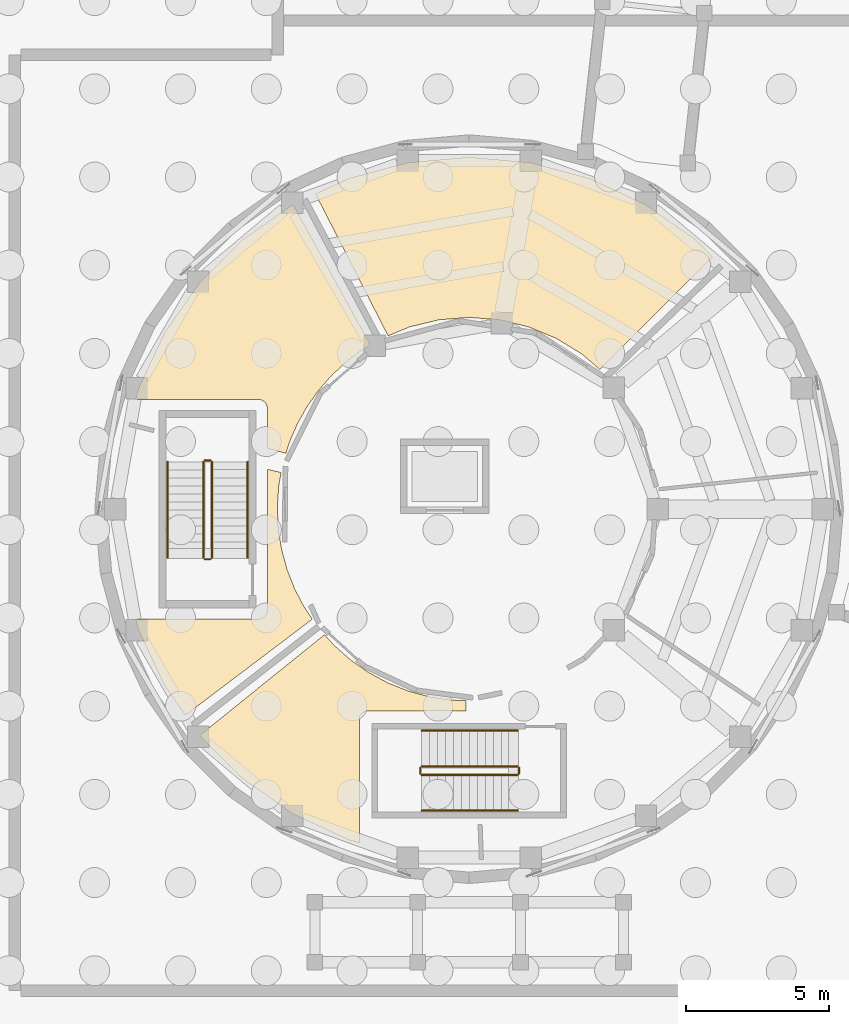
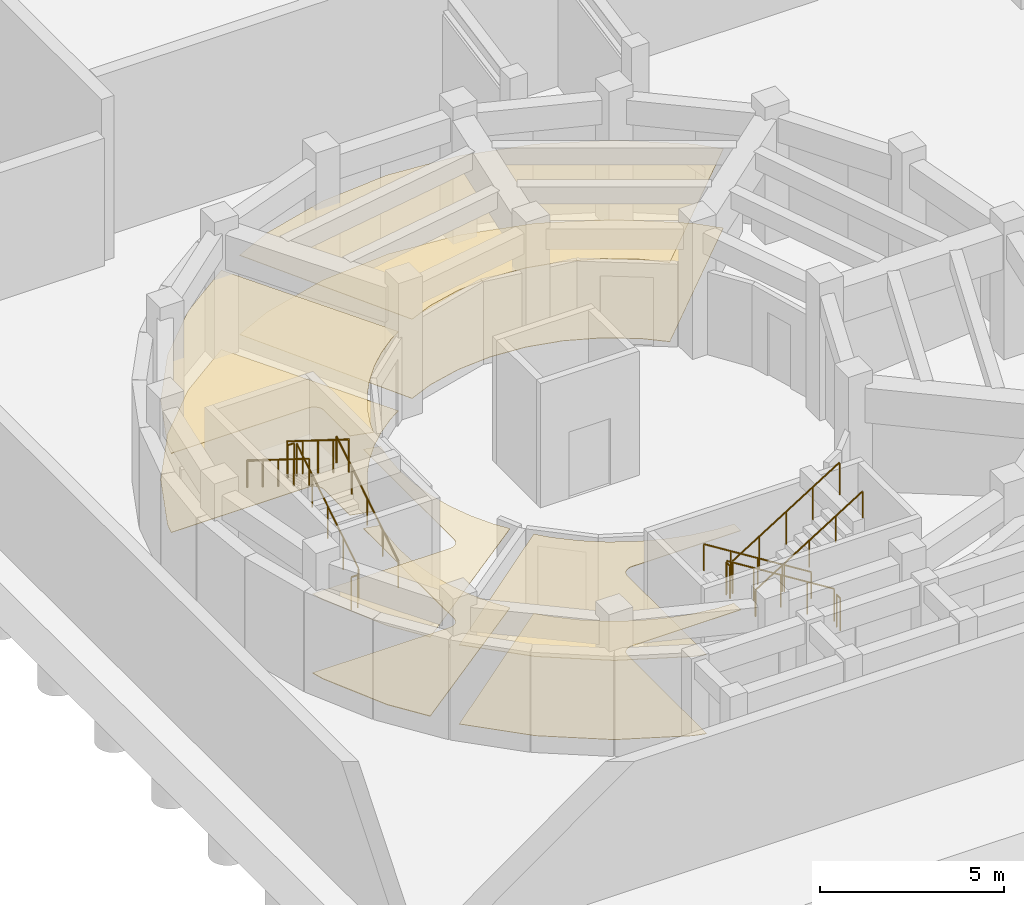
# One storey, part 50 of 57: 12 railings, 8 coverings.
"""IFC4 building model written with IfcOpenShell, lengths in metres."""

from ifc_helpers import new_model, si_unit, direction, frame, origin, origin_2d, place, context, subcontext, project, spatial, polyline, circle, outline, extrude, material, layer, layer_set, type_object, element, save


model = new_model("IFC4")

# Units and contexts
model_context = context("Model", 3, precision=1e-05, world=origin(), true_north=direction((0.0, 1.0)))
body_context = subcontext(model_context, "Body", "Model", "MODEL_VIEW")
ifc_project = project(units=[si_unit("LENGTHUNIT", "METRE"), si_unit("AREAUNIT", "SQUARE_METRE"), si_unit("VOLUMEUNIT", "CUBIC_METRE"), si_unit("PLANEANGLEUNIT", "RADIAN"), si_unit("MASSUNIT", "GRAM", prefix="KILO")], contexts=[model_context])

# Site, building, storey
site_placement = place(None, origin())
site = spatial("IfcSite", under=ifc_project, at=site_placement, CompositionType="ELEMENT")
building_placement = place(site_placement, origin())
building = spatial("IfcBuilding", under=site, at=building_placement, Name="Aldenvaro Health Centre", CompositionType="ELEMENT")
storey_placement = place(building_placement, frame((0.0, 0.0, -4.550048828125)))
storey = spatial("IfcBuildingStorey", under=building, at=storey_placement, Name="B1", CompositionType="ELEMENT", Elevation=-4.550048828125)

# Coverings
ifc_material_1 = material(Name="Antimicrobial Mineral Fibre Ceiling")
ifc_layer_1 = layer(ifc_material_1, 0.01806640625, Name="Antimicrobial Mineral Fibre Ceiling")
ifc_layer_set_1 = layer_set([ifc_layer_1], Name="Antimicrobial Mineral Fibre Ceiling")
covering_type_1 = type_object("IfcCoveringType", Name="COV-CLG-ACT18", PredefinedType="CEILING", material=ifc_layer_set_1)
covering_1_placement = place(storey_placement, frame((0.0, 0.0, 2.623046875)))
element("IfcCovering", 1, at=covering_1_placement, inside=storey, type_object=covering_type_1, Name="D5-B1-R01 Suspended Ceiling", PredefinedType="CEILING", context=body_context, shape_type="SweptSolid", body=[
    extrude(outline(polyline([(22.466064453125, 23.912109375), (22.450927734375, 23.923095703125), (22.43505859375, 23.93408203125), (21.568115234375, 24.467041015625), (21.551025390625, 24.47607421875), (21.533935546875, 24.48388671875), (20.593994140625, 24.8740234375), (20.575927734375, 24.881103515625), (20.55810546875, 24.885986328125), (19.568115234375, 25.1240234375), (19.550048828125, 25.126953125), (19.531005859375, 25.1298828125), (18.51611328125, 25.208984375), (18.4970703125, 25.2099609375), (18.47802734375, 25.208984375), (17.462890625, 25.12890625), (17.445068359375, 25.1259765625), (17.426025390625, 25.123046875), (16.43603515625, 24.884033203125), (16.41796875, 24.87890625), (16.39990234375, 24.8720703125), (15.6650390625, 24.56591796875), (13.123046875, 29.533935546875), (14.287109375, 30.075927734375), (16.361083984375, 30.632080078125), (18.5, 30.819091796875), (20.638916015625, 30.632080078125), (22.712890625, 30.075927734375), (24.658935546875, 29.1689453125), (26.4189453125, 27.93701171875), (27.02294921875, 27.33203125), (23.071044921875, 23.39404296875), (22.466064453125, 23.912109375)])), origin(), (0.0, 0.0, 1.0), 0.01806640625),
])
covering_2_placement = place(storey_placement, frame((0.0, 0.0, 2.623046875)))
element("IfcCovering", 2, at=covering_2_placement, inside=storey, type_object=covering_type_1, Name="D5-B1-R02 Suspended Ceiling", PredefinedType="CEILING", context=body_context, shape_type="SweptSolid", body=[
    extrude(outline(polyline([(12.337890625, 29.1669921875), (15.052978515625, 24.248046875), (14.693115234375, 24.02490234375), (14.673095703125, 24.010986328125), (14.156005859375, 23.614013671875), (14.137939453125, 23.597900390625), (13.6640625, 23.15087890625), (13.64697265625, 23.133056640625), (13.219970703125, 22.639892578125), (13.205078125, 22.62109375), (12.830078125, 22.087890625), (12.81689453125, 22.068115234375), (12.498046875, 21.4990234375), (12.487060546875, 21.47802734375), (12.22705078125, 20.8798828125), (12.218017578125, 20.85791015625), (12.089111328125, 20.4541015625), (11.43994140625, 20.626953125), (11.43994140625, 22.02001953125), (11.43994140625, 22.031982421875), (11.43896484375, 22.0400390625), (11.43701171875, 22.06298828125), (11.43603515625, 22.071044921875), (11.430908203125, 22.093994140625), (11.428955078125, 22.10205078125), (11.423095703125, 22.1240234375), (11.419921875, 22.131103515625), (11.410888671875, 22.153076171875), (11.407958984375, 22.159912109375), (11.39599609375, 22.180908203125), (11.39208984375, 22.18798828125), (11.37890625, 22.20703125), (11.375, 22.214111328125), (11.360107421875, 22.23193359375), (11.35400390625, 22.238037109375), (11.337890625, 22.25390625), (11.33203125, 22.260009765625), (11.31396484375, 22.27490234375), (11.306884765625, 22.279052734375), (11.2880859375, 22.2919921875), (11.281005859375, 22.2958984375), (11.260009765625, 22.30810546875), (11.2529296875, 22.31103515625), (11.23095703125, 22.320068359375), (11.22412109375, 22.322998046875), (11.201904296875, 22.3291015625), (11.194091796875, 22.3310546875), (11.1708984375, 22.3359375), (11.1630859375, 22.3369140625), (11.139892578125, 22.339111328125), (11.132080078125, 22.340087890625), (11.1201171875, 22.340087890625), (6.823974609375, 22.340087890625), (6.924072265625, 22.712890625), (7.8310546875, 24.658935546875), (9.06298828125, 26.4189453125), (10.5810546875, 27.93701171875), (12.337890625, 29.1669921875)])), origin(), (0.0, 0.0, 1.0), 0.01806640625),
])
covering_3_placement = place(storey_placement, frame((0.0, 0.0, 2.623046875)))
element("IfcCovering", 3, at=covering_3_placement, inside=storey, type_object=covering_type_1, Name="D5-B1-R03 Suspended Ceiling", PredefinedType="CEILING", context=body_context, shape_type="SweptSolid", body=[
    extrude(outline(polyline([(11.839111328125, 19.31005859375), (11.8359375, 19.283935546875), (11.791015625, 18.577880859375), (11.791015625, 18.551025390625), (11.822998046875, 17.843994140625), (11.824951171875, 17.818115234375), (11.93408203125, 17.117919921875), (11.93994140625, 17.092041015625), (12.125, 16.407958984375), (12.133056640625, 16.384033203125), (12.39111328125, 15.72412109375), (12.402099609375, 15.699951171875), (12.73095703125, 15.072998046875), (12.7451171875, 15.051025390625), (13.013916015625, 14.652099609375), (8.568115234375, 11.2890625), (7.8310546875, 12.341064453125), (6.924072265625, 14.287109375), (6.823974609375, 14.659912109375), (11.1201171875, 14.659912109375), (11.132080078125, 14.659912109375), (11.139892578125, 14.660888671875), (11.1630859375, 14.6630859375), (11.1708984375, 14.6640625), (11.194091796875, 14.6689453125), (11.201904296875, 14.6708984375), (11.22412109375, 14.677001953125), (11.23095703125, 14.679931640625), (11.2529296875, 14.68896484375), (11.260009765625, 14.69189453125), (11.281005859375, 14.7041015625), (11.2880859375, 14.7080078125), (11.306884765625, 14.720947265625), (11.31396484375, 14.72509765625), (11.33203125, 14.739990234375), (11.337890625, 14.74609375), (11.35400390625, 14.761962890625), (11.360107421875, 14.76806640625), (11.375, 14.785888671875), (11.37890625, 14.79296875), (11.39208984375, 14.81201171875), (11.39599609375, 14.819091796875), (11.407958984375, 14.840087890625), (11.410888671875, 14.846923828125), (11.419921875, 14.868896484375), (11.423095703125, 14.8759765625), (11.428955078125, 14.89794921875), (11.430908203125, 14.906005859375), (11.43603515625, 14.928955078125), (11.43701171875, 14.93701171875), (11.43896484375, 14.9599609375), (11.43994140625, 14.968017578125), (11.43994140625, 14.97998046875), (11.43994140625, 19.89697265625), (11.923095703125, 19.783935546875), (11.839111328125, 19.31005859375)])), origin(), (0.0, 0.0, 1.0), 0.01806640625),
])
covering_4_placement = place(storey_placement, frame((0.0, 0.0, 2.623046875)))
element("IfcCovering", 4, at=covering_4_placement, inside=storey, type_object=covering_type_1, Name="D5-B1-R04 Suspended Ceiling", PredefinedType="CEILING", context=body_context, shape_type="SweptSolid", body=[
    extrude(outline(polyline([(9.06591796875, 10.5791015625), (13.43896484375, 14.10791015625), (13.781005859375, 13.72998046875), (13.801025390625, 13.7109375), (14.35400390625, 13.22509765625), (14.375, 13.2080078125), (14.97998046875, 12.7880859375), (15.0029296875, 12.77392578125), (15.652099609375, 12.425048828125), (15.677001953125, 12.4130859375), (16.361083984375, 12.14111328125), (16.386962890625, 12.132080078125), (17.096923828125, 11.93896484375), (17.1240234375, 11.93310546875), (17.85205078125, 11.822021484375), (17.87890625, 11.819091796875), (18.388916015625, 11.800048828125), (18.39599609375, 11.43994140625), (14.97998046875, 11.43994140625), (14.968017578125, 11.43994140625), (14.9599609375, 11.43896484375), (14.93701171875, 11.43701171875), (14.928955078125, 11.43603515625), (14.906005859375, 11.430908203125), (14.89794921875, 11.428955078125), (14.8759765625, 11.423095703125), (14.868896484375, 11.419921875), (14.846923828125, 11.410888671875), (14.840087890625, 11.407958984375), (14.819091796875, 11.39599609375), (14.81201171875, 11.39208984375), (14.79296875, 11.37890625), (14.785888671875, 11.375), (14.76806640625, 11.360107421875), (14.761962890625, 11.35400390625), (14.74609375, 11.337890625), (14.739990234375, 11.33203125), (14.72509765625, 11.31396484375), (14.720947265625, 11.306884765625), (14.7080078125, 11.2880859375), (14.7041015625, 11.281005859375), (14.69189453125, 11.260009765625), (14.68896484375, 11.2529296875), (14.679931640625, 11.23095703125), (14.677001953125, 11.22412109375), (14.6708984375, 11.201904296875), (14.6689453125, 11.194091796875), (14.6640625, 11.1708984375), (14.6630859375, 11.1630859375), (14.660888671875, 11.139892578125), (14.659912109375, 11.132080078125), (14.659912109375, 11.1201171875), (14.659912109375, 6.823974609375), (14.287109375, 6.924072265625), (12.341064453125, 7.8310546875), (10.5810546875, 9.06298828125), (9.06591796875, 10.5791015625)])), origin(), (0.0, 0.0, 1.0), 0.01806640625),
])
ifc_material_2 = material(Name="Polished Epoxy Terrazzo Flooring")
ifc_layer_2 = layer(ifc_material_2, 0.02197265625, Name="Polished Epoxy Terrazzo Flooring")
ifc_layer_set_2 = layer_set([ifc_layer_2], Name="Polished Epoxy Terrazzo Flooring")
covering_type_2 = type_object("IfcCoveringType", Name="COV-FLR-TER22", PredefinedType="FLOORING", material=ifc_layer_set_2)
covering_5_placement = place(storey_placement, origin())
element("IfcCovering", 5, at=covering_5_placement, inside=storey, type_object=covering_type_2, Name="D5-B1-R03 Flooring", PredefinedType="FLOORING", context=body_context, shape_type="SweptSolid", body=[
    extrude(outline(polyline([(11.839111328125, 19.31005859375), (11.8359375, 19.283935546875), (11.791015625, 18.577880859375), (11.791015625, 18.551025390625), (11.822998046875, 17.843994140625), (11.824951171875, 17.818115234375), (11.93408203125, 17.117919921875), (11.93994140625, 17.092041015625), (12.125, 16.407958984375), (12.133056640625, 16.384033203125), (12.39111328125, 15.72412109375), (12.402099609375, 15.699951171875), (12.73095703125, 15.072998046875), (12.7451171875, 15.051025390625), (13.013916015625, 14.652099609375), (8.568115234375, 11.2890625), (7.8310546875, 12.341064453125), (6.924072265625, 14.287109375), (6.823974609375, 14.659912109375), (11.1201171875, 14.659912109375), (11.132080078125, 14.659912109375), (11.139892578125, 14.660888671875), (11.1630859375, 14.6630859375), (11.1708984375, 14.6640625), (11.194091796875, 14.6689453125), (11.201904296875, 14.6708984375), (11.22412109375, 14.677001953125), (11.23095703125, 14.679931640625), (11.2529296875, 14.68896484375), (11.260009765625, 14.69189453125), (11.281005859375, 14.7041015625), (11.2880859375, 14.7080078125), (11.306884765625, 14.720947265625), (11.31396484375, 14.72509765625), (11.33203125, 14.739990234375), (11.337890625, 14.74609375), (11.35400390625, 14.761962890625), (11.360107421875, 14.76806640625), (11.375, 14.785888671875), (11.37890625, 14.79296875), (11.39208984375, 14.81201171875), (11.39599609375, 14.819091796875), (11.407958984375, 14.840087890625), (11.410888671875, 14.846923828125), (11.419921875, 14.868896484375), (11.423095703125, 14.8759765625), (11.428955078125, 14.89794921875), (11.430908203125, 14.906005859375), (11.43603515625, 14.928955078125), (11.43701171875, 14.93701171875), (11.43896484375, 14.9599609375), (11.43994140625, 14.968017578125), (11.43994140625, 14.97998046875), (11.43994140625, 19.89697265625), (11.923095703125, 19.783935546875), (11.839111328125, 19.31005859375)])), origin(), (0.0, 0.0, 1.0), 0.02197265625),
])
ifc_material_3 = material(Name="Seamless Homogeneous Sheet Vinyl")
ifc_layer_3 = layer(ifc_material_3, 0.013916015625, Name="Seamless Homogeneous Sheet Vinyl")
ifc_layer_set_3 = layer_set([ifc_layer_3], Name="Seamless Homogeneous Sheet Vinyl")
covering_type_3 = type_object("IfcCoveringType", Name="COV-FLR-VNL14", PredefinedType="FLOORING", material=ifc_layer_set_3)
covering_6_placement = place(storey_placement, origin())
element("IfcCovering", 6, at=covering_6_placement, inside=storey, type_object=covering_type_3, Name="D5-B1-R01 Flooring", PredefinedType="FLOORING", context=body_context, shape_type="SweptSolid", body=[
    extrude(outline(polyline([(22.466064453125, 23.912109375), (22.450927734375, 23.923095703125), (22.43505859375, 23.93408203125), (21.568115234375, 24.467041015625), (21.551025390625, 24.47607421875), (21.533935546875, 24.48388671875), (20.593994140625, 24.8740234375), (20.575927734375, 24.881103515625), (20.55810546875, 24.885986328125), (19.568115234375, 25.1240234375), (19.550048828125, 25.126953125), (19.531005859375, 25.1298828125), (18.51611328125, 25.208984375), (18.4970703125, 25.2099609375), (18.47802734375, 25.208984375), (17.462890625, 25.12890625), (17.445068359375, 25.1259765625), (17.426025390625, 25.123046875), (16.43603515625, 24.884033203125), (16.41796875, 24.87890625), (16.39990234375, 24.8720703125), (15.6650390625, 24.56591796875), (13.123046875, 29.533935546875), (14.287109375, 30.075927734375), (16.361083984375, 30.632080078125), (18.5, 30.819091796875), (20.638916015625, 30.632080078125), (22.712890625, 30.075927734375), (24.658935546875, 29.1689453125), (26.4189453125, 27.93701171875), (27.02294921875, 27.33203125), (23.071044921875, 23.39404296875), (22.466064453125, 23.912109375)])), origin(), (0.0, 0.0, 1.0), 0.01416015625),
])
covering_7_placement = place(storey_placement, origin())
element("IfcCovering", 7, at=covering_7_placement, inside=storey, type_object=covering_type_3, Name="D5-B1-R02 Flooring", PredefinedType="FLOORING", context=body_context, shape_type="SweptSolid", body=[
    extrude(outline(polyline([(12.337890625, 29.1669921875), (15.052978515625, 24.248046875), (14.693115234375, 24.02490234375), (14.673095703125, 24.010986328125), (14.156005859375, 23.614013671875), (14.137939453125, 23.597900390625), (13.6640625, 23.15087890625), (13.64697265625, 23.133056640625), (13.219970703125, 22.639892578125), (13.205078125, 22.62109375), (12.830078125, 22.087890625), (12.81689453125, 22.068115234375), (12.498046875, 21.4990234375), (12.487060546875, 21.47802734375), (12.22705078125, 20.8798828125), (12.218017578125, 20.85791015625), (12.089111328125, 20.4541015625), (11.43994140625, 20.626953125), (11.43994140625, 22.02001953125), (11.43994140625, 22.031982421875), (11.43896484375, 22.0400390625), (11.43701171875, 22.06298828125), (11.43603515625, 22.071044921875), (11.430908203125, 22.093994140625), (11.428955078125, 22.10205078125), (11.423095703125, 22.1240234375), (11.419921875, 22.131103515625), (11.410888671875, 22.153076171875), (11.407958984375, 22.159912109375), (11.39599609375, 22.180908203125), (11.39208984375, 22.18798828125), (11.37890625, 22.20703125), (11.375, 22.214111328125), (11.360107421875, 22.23193359375), (11.35400390625, 22.238037109375), (11.337890625, 22.25390625), (11.33203125, 22.260009765625), (11.31396484375, 22.27490234375), (11.306884765625, 22.279052734375), (11.2880859375, 22.2919921875), (11.281005859375, 22.2958984375), (11.260009765625, 22.30810546875), (11.2529296875, 22.31103515625), (11.23095703125, 22.320068359375), (11.22412109375, 22.322998046875), (11.201904296875, 22.3291015625), (11.194091796875, 22.3310546875), (11.1708984375, 22.3359375), (11.1630859375, 22.3369140625), (11.139892578125, 22.339111328125), (11.132080078125, 22.340087890625), (11.1201171875, 22.340087890625), (6.823974609375, 22.340087890625), (6.924072265625, 22.712890625), (7.8310546875, 24.658935546875), (9.06298828125, 26.4189453125), (10.5810546875, 27.93701171875), (12.337890625, 29.1669921875)])), origin(), (0.0, 0.0, 1.0), 0.01416015625),
])
covering_8_placement = place(storey_placement, origin())
element("IfcCovering", 8, at=covering_8_placement, inside=storey, type_object=covering_type_3, Name="D5-B1-R04 Flooring", PredefinedType="FLOORING", context=body_context, shape_type="SweptSolid", body=[
    extrude(outline(polyline([(9.06591796875, 10.5791015625), (13.43896484375, 14.10791015625), (13.781005859375, 13.72998046875), (13.801025390625, 13.7109375), (14.35400390625, 13.22509765625), (14.375, 13.2080078125), (14.97998046875, 12.7880859375), (15.0029296875, 12.77392578125), (15.652099609375, 12.425048828125), (15.677001953125, 12.4130859375), (16.361083984375, 12.14111328125), (16.386962890625, 12.132080078125), (17.096923828125, 11.93896484375), (17.1240234375, 11.93310546875), (17.85205078125, 11.822021484375), (17.87890625, 11.819091796875), (18.388916015625, 11.800048828125), (18.39599609375, 11.43994140625), (14.97998046875, 11.43994140625), (14.968017578125, 11.43994140625), (14.9599609375, 11.43896484375), (14.93701171875, 11.43701171875), (14.928955078125, 11.43603515625), (14.906005859375, 11.430908203125), (14.89794921875, 11.428955078125), (14.8759765625, 11.423095703125), (14.868896484375, 11.419921875), (14.846923828125, 11.410888671875), (14.840087890625, 11.407958984375), (14.819091796875, 11.39599609375), (14.81201171875, 11.39208984375), (14.79296875, 11.37890625), (14.785888671875, 11.375), (14.76806640625, 11.360107421875), (14.761962890625, 11.35400390625), (14.74609375, 11.337890625), (14.739990234375, 11.33203125), (14.72509765625, 11.31396484375), (14.720947265625, 11.306884765625), (14.7080078125, 11.2880859375), (14.7041015625, 11.281005859375), (14.69189453125, 11.260009765625), (14.68896484375, 11.2529296875), (14.679931640625, 11.23095703125), (14.677001953125, 11.22412109375), (14.6708984375, 11.201904296875), (14.6689453125, 11.194091796875), (14.6640625, 11.1708984375), (14.6630859375, 11.1630859375), (14.660888671875, 11.139892578125), (14.659912109375, 11.132080078125), (14.659912109375, 11.1201171875), (14.659912109375, 6.823974609375), (14.287109375, 6.924072265625), (12.341064453125, 7.8310546875), (10.5810546875, 9.06298828125), (9.06591796875, 10.5791015625)])), origin(), (0.0, 0.0, 1.0), 0.01416015625),
])

# Railings
ifc_material_4 = material(Name="Painted Architectural Steel", Category="steel")
railing_type_1 = type_object("IfcRailingType", Name="RL-BAL-INT", PredefinedType="BALUSTRADE", material=ifc_material_4)
railing_1_placement = place(storey_placement, frame((9.5, 16.800048828125, 0.175048828125)))
element("IfcRailing", 9, at=railing_1_placement, inside=storey, type_object=railing_type_1, Name="B1 ST-09 stair guard 1", PredefinedType="BALUSTRADE", context=body_context, shape_type="SweptSolid", body=[
    extrude(circle(Radius=0.02392578125, at=origin_2d()), frame((0.0, 0.0, 1.076171875), z_axis=(0.0, 0.847977533471, 0.530032171408), x_axis=(-1.0, 0.0, 0.0)), (0.0, 0.0, 1.0), 3.962158203125),
    extrude(circle(Radius=0.02099609375, at=origin_2d()), origin(), (0.0, 0.0, 1.0), 1.052001953125),
    extrude(circle(Radius=0.02099609375, at=origin_2d()), frame((0.0, 0.83984375, 0.52490234375)), (0.0, 0.0, 1.0), 1.052001953125),
    extrude(circle(Radius=0.02099609375, at=origin_2d()), frame((0.0, 1.679931640625, 1.050048828125)), (0.0, 0.0, 1.0), 1.052001953125),
    extrude(circle(Radius=0.02099609375, at=origin_2d()), frame((0.0, 2.52001953125, 1.5751953125)), (0.0, 0.0, 1.0), 1.052001953125),
    extrude(circle(Radius=0.02099609375, at=origin_2d()), frame((0.0, 3.35986328125, 2.10009765625)), (0.0, 0.0, 1.0), 1.052001953125),
])
railing_2_placement = place(storey_placement, frame((9.449951171875, 20.2099609375, 2.275146484375)))
element("IfcRailing", 10, at=railing_2_placement, inside=storey, type_object=railing_type_1, Name="B1 ST-09 stair guard 2", PredefinedType="BALUSTRADE", context=body_context, shape_type="SweptSolid", body=[
    extrude(circle(Radius=0.02392578125, at=origin_2d()), frame((0.0, 0.0, 1.076171875), z_axis=(-1.0, 0.0, 0.0), x_axis=(0.0, -1.0, 0.0)), (0.0, 0.0, 1.0), 0.199951171875),
    extrude(circle(Radius=0.02099609375, at=origin_2d()), origin(), (0.0, 0.0, 1.0), 1.052001953125),
    extrude(circle(Radius=0.02099609375, at=origin_2d()), frame((-0.199951171875, 0.0, 0.0)), (0.0, 0.0, 1.0), 1.052001953125),
])
railing_3_placement = place(storey_placement, frame((9.199951171875, 20.159912109375, 2.449951171875)))
element("IfcRailing", 11, at=railing_3_placement, inside=storey, type_object=railing_type_1, Name="B1 ST-09 stair guard 3", PredefinedType="BALUSTRADE", context=body_context, shape_type="SweptSolid", body=[
    extrude(circle(Radius=0.02392578125, at=origin_2d()), frame((0.0, 0.0, 1.076171875), z_axis=(0.0, -0.847977533471, 0.530032171408), x_axis=(1.0, 0.0, 0.0)), (0.0, 0.0, 1.0), 3.962158203125),
    extrude(circle(Radius=0.02099609375, at=origin_2d()), origin(), (0.0, 0.0, 1.0), 1.052001953125),
    extrude(circle(Radius=0.02099609375, at=origin_2d()), frame((0.0, -0.83984375, 0.52490234375)), (0.0, 0.0, 1.0), 1.052001953125),
    extrude(circle(Radius=0.02099609375, at=origin_2d()), frame((0.0, -1.679931640625, 1.050048828125)), (0.0, 0.0, 1.0), 1.052001953125),
    extrude(circle(Radius=0.02099609375, at=origin_2d()), frame((0.0, -2.52001953125, 1.5751953125)), (0.0, 0.0, 1.0), 1.052001953125),
    extrude(circle(Radius=0.02099609375, at=origin_2d()), frame((0.0, -3.35986328125, 2.10009765625)), (0.0, 0.0, 1.0), 1.052001953125),
])
railing_4_placement = place(storey_placement, frame((9.449951171875, 16.75, 0.0)))
element("IfcRailing", 12, at=railing_4_placement, inside=storey, type_object=railing_type_1, Name="B1 ST-09 stair guard 4", PredefinedType="BALUSTRADE", context=body_context, shape_type="SweptSolid", body=[
    extrude(circle(Radius=0.02392578125, at=origin_2d()), frame((0.0, 0.0, 1.076171875), z_axis=(-1.0, 0.0, 0.0), x_axis=(0.0, -1.0, 0.0)), (0.0, 0.0, 1.0), 0.199951171875),
    extrude(circle(Radius=0.02099609375, at=origin_2d()), origin(), (0.0, 0.0, 1.0), 1.052001953125),
    extrude(circle(Radius=0.02099609375, at=origin_2d()), frame((-0.199951171875, 0.0, 0.0)), (0.0, 0.0, 1.0), 1.052001953125),
])
railing_5_placement = place(storey_placement, frame((20.199951171875, 9.5, 0.175048828125)))
element("IfcRailing", 13, at=railing_5_placement, inside=storey, type_object=railing_type_1, Name="B1 ST-10 stair guard 1", PredefinedType="BALUSTRADE", context=body_context, shape_type="SweptSolid", body=[
    extrude(circle(Radius=0.02392578125, at=origin_2d()), frame((0.0, 0.0, 1.076171875), z_axis=(-0.847977533471, 0.0, 0.530032171408), x_axis=(0.0, -1.0, 0.0)), (0.0, 0.0, 1.0), 3.962158203125),
    extrude(circle(Radius=0.02099609375, at=origin_2d()), origin(), (0.0, 0.0, 1.0), 1.052001953125),
    extrude(circle(Radius=0.02099609375, at=origin_2d()), frame((-0.83984375, 0.0, 0.52490234375)), (0.0, 0.0, 1.0), 1.052001953125),
    extrude(circle(Radius=0.02099609375, at=origin_2d()), frame((-1.679931640625, 0.0, 1.050048828125)), (0.0, 0.0, 1.0), 1.052001953125),
    extrude(circle(Radius=0.02099609375, at=origin_2d()), frame((-2.52001953125, 0.0, 1.5751953125)), (0.0, 0.0, 1.0), 1.052001953125),
    extrude(circle(Radius=0.02099609375, at=origin_2d()), frame((-3.35986328125, 0.0, 2.10009765625)), (0.0, 0.0, 1.0), 1.052001953125),
])
railing_6_placement = place(storey_placement, frame((16.7900390625, 9.449951171875, 2.275146484375)))
element("IfcRailing", 14, at=railing_6_placement, inside=storey, type_object=railing_type_1, Name="B1 ST-10 stair guard 2", PredefinedType="BALUSTRADE", context=body_context, shape_type="SweptSolid", body=[
    extrude(circle(Radius=0.02392578125, at=origin_2d()), frame((0.0, 0.0, 1.076171875), z_axis=(0.0, -1.0, 0.0), x_axis=(1.0, 0.0, 0.0)), (0.0, 0.0, 1.0), 0.199951171875),
    extrude(circle(Radius=0.02099609375, at=origin_2d()), origin(), (0.0, 0.0, 1.0), 1.052001953125),
    extrude(circle(Radius=0.02099609375, at=origin_2d()), frame((0.0, -0.199951171875, 0.0)), (0.0, 0.0, 1.0), 1.052001953125),
])
railing_7_placement = place(storey_placement, frame((16.840087890625, 9.199951171875, 2.449951171875)))
element("IfcRailing", 15, at=railing_7_placement, inside=storey, type_object=railing_type_1, Name="B1 ST-10 stair guard 3", PredefinedType="BALUSTRADE", context=body_context, shape_type="SweptSolid", body=[
    extrude(circle(Radius=0.02392578125, at=origin_2d()), frame((0.0, 0.0, 1.076171875), z_axis=(0.847977533471, 0.0, 0.530032171408), x_axis=(0.0, 1.0, 0.0)), (0.0, 0.0, 1.0), 3.962158203125),
    extrude(circle(Radius=0.02099609375, at=origin_2d()), origin(), (0.0, 0.0, 1.0), 1.052001953125),
    extrude(circle(Radius=0.02099609375, at=origin_2d()), frame((0.83984375, 0.0, 0.52490234375)), (0.0, 0.0, 1.0), 1.052001953125),
    extrude(circle(Radius=0.02099609375, at=origin_2d()), frame((1.679931640625, 0.0, 1.050048828125)), (0.0, 0.0, 1.0), 1.052001953125),
    extrude(circle(Radius=0.02099609375, at=origin_2d()), frame((2.52001953125, 0.0, 1.5751953125)), (0.0, 0.0, 1.0), 1.052001953125),
    extrude(circle(Radius=0.02099609375, at=origin_2d()), frame((3.35986328125, 0.0, 2.10009765625)), (0.0, 0.0, 1.0), 1.052001953125),
])
railing_8_placement = place(storey_placement, frame((20.25, 9.449951171875, 0.0)))
element("IfcRailing", 16, at=railing_8_placement, inside=storey, type_object=railing_type_1, Name="B1 ST-10 stair guard 4", PredefinedType="BALUSTRADE", context=body_context, shape_type="SweptSolid", body=[
    extrude(circle(Radius=0.02392578125, at=origin_2d()), frame((0.0, 0.0, 1.076171875), z_axis=(0.0, -1.0, 0.0), x_axis=(1.0, 0.0, 0.0)), (0.0, 0.0, 1.0), 0.199951171875),
    extrude(circle(Radius=0.02099609375, at=origin_2d()), origin(), (0.0, 0.0, 1.0), 1.052001953125),
    extrude(circle(Radius=0.02099609375, at=origin_2d()), frame((0.0, -0.199951171875, 0.0)), (0.0, 0.0, 1.0), 1.052001953125),
])
railing_type_2 = type_object("IfcRailingType", Name="RL-HND-INT", PredefinedType="HANDRAIL", material=ifc_material_4)
railing_9_placement = place(storey_placement, frame((10.75, 16.800048828125, 0.175048828125)))
element("IfcRailing", 17, at=railing_9_placement, inside=storey, type_object=railing_type_2, Name="B1 ST-09 stair handrail 1", PredefinedType="HANDRAIL", context=body_context, shape_type="SweptSolid", body=[
    extrude(circle(Radius=0.02392578125, at=origin_2d()), frame((0.0, 0.0, 0.8759765625), z_axis=(0.0, 0.847977533471, 0.530032171408), x_axis=(-1.0, 0.0, 0.0)), (0.0, 0.0, 1.0), 3.962158203125),
    extrude(circle(Radius=0.02099609375, at=origin_2d()), origin(), (0.0, 0.0, 1.0), 0.851806640625),
    extrude(circle(Radius=0.02099609375, at=origin_2d()), frame((0.0, 0.83984375, 0.52490234375)), (0.0, 0.0, 1.0), 0.851806640625),
    extrude(circle(Radius=0.02099609375, at=origin_2d()), frame((0.0, 1.679931640625, 1.050048828125)), (0.0, 0.0, 1.0), 0.851806640625),
    extrude(circle(Radius=0.02099609375, at=origin_2d()), frame((0.0, 2.52001953125, 1.5751953125)), (0.0, 0.0, 1.0), 0.851806640625),
    extrude(circle(Radius=0.02099609375, at=origin_2d()), frame((0.0, 3.35986328125, 2.10009765625)), (0.0, 0.0, 1.0), 0.851806640625),
])
railing_10_placement = place(storey_placement, frame((7.949951171875, 20.159912109375, 2.449951171875)))
element("IfcRailing", 18, at=railing_10_placement, inside=storey, type_object=railing_type_2, Name="B1 ST-09 stair handrail 2", PredefinedType="HANDRAIL", context=body_context, shape_type="SweptSolid", body=[
    extrude(circle(Radius=0.02392578125, at=origin_2d()), frame((0.0, 0.0, 0.8759765625), z_axis=(0.0, -0.847977533471, 0.530032171408), x_axis=(1.0, 0.0, 0.0)), (0.0, 0.0, 1.0), 3.962158203125),
    extrude(circle(Radius=0.02099609375, at=origin_2d()), origin(), (0.0, 0.0, 1.0), 0.851806640625),
    extrude(circle(Radius=0.02099609375, at=origin_2d()), frame((0.0, -0.83984375, 0.52490234375)), (0.0, 0.0, 1.0), 0.851806640625),
    extrude(circle(Radius=0.02099609375, at=origin_2d()), frame((0.0, -1.679931640625, 1.050048828125)), (0.0, 0.0, 1.0), 0.851806640625),
    extrude(circle(Radius=0.02099609375, at=origin_2d()), frame((0.0, -2.52001953125, 1.5751953125)), (0.0, 0.0, 1.0), 0.851806640625),
    extrude(circle(Radius=0.02099609375, at=origin_2d()), frame((0.0, -3.35986328125, 2.10009765625)), (0.0, 0.0, 1.0), 0.851806640625),
])
railing_11_placement = place(storey_placement, frame((20.199951171875, 10.75, 0.175048828125)))
element("IfcRailing", 19, at=railing_11_placement, inside=storey, type_object=railing_type_2, Name="B1 ST-10 stair handrail 1", PredefinedType="HANDRAIL", context=body_context, shape_type="SweptSolid", body=[
    extrude(circle(Radius=0.02392578125, at=origin_2d()), frame((0.0, 0.0, 0.8759765625), z_axis=(-0.847977533471, 0.0, 0.530032171408), x_axis=(0.0, -1.0, 0.0)), (0.0, 0.0, 1.0), 3.962158203125),
    extrude(circle(Radius=0.02099609375, at=origin_2d()), origin(), (0.0, 0.0, 1.0), 0.851806640625),
    extrude(circle(Radius=0.02099609375, at=origin_2d()), frame((-0.83984375, 0.0, 0.52490234375)), (0.0, 0.0, 1.0), 0.851806640625),
    extrude(circle(Radius=0.02099609375, at=origin_2d()), frame((-1.679931640625, 0.0, 1.050048828125)), (0.0, 0.0, 1.0), 0.851806640625),
    extrude(circle(Radius=0.02099609375, at=origin_2d()), frame((-2.52001953125, 0.0, 1.5751953125)), (0.0, 0.0, 1.0), 0.851806640625),
    extrude(circle(Radius=0.02099609375, at=origin_2d()), frame((-3.35986328125, 0.0, 2.10009765625)), (0.0, 0.0, 1.0), 0.851806640625),
])
railing_12_placement = place(storey_placement, frame((16.840087890625, 7.949951171875, 2.449951171875)))
element("IfcRailing", 20, at=railing_12_placement, inside=storey, type_object=railing_type_2, Name="B1 ST-10 stair handrail 2", PredefinedType="HANDRAIL", context=body_context, shape_type="SweptSolid", body=[
    extrude(circle(Radius=0.02392578125, at=origin_2d()), frame((0.0, 0.0, 0.8759765625), z_axis=(0.847977533471, 0.0, 0.530032171408), x_axis=(0.0, 1.0, 0.0)), (0.0, 0.0, 1.0), 3.962158203125),
    extrude(circle(Radius=0.02099609375, at=origin_2d()), origin(), (0.0, 0.0, 1.0), 0.851806640625),
    extrude(circle(Radius=0.02099609375, at=origin_2d()), frame((0.83984375, 0.0, 0.52490234375)), (0.0, 0.0, 1.0), 0.851806640625),
    extrude(circle(Radius=0.02099609375, at=origin_2d()), frame((1.679931640625, 0.0, 1.050048828125)), (0.0, 0.0, 1.0), 0.851806640625),
    extrude(circle(Radius=0.02099609375, at=origin_2d()), frame((2.52001953125, 0.0, 1.5751953125)), (0.0, 0.0, 1.0), 0.851806640625),
    extrude(circle(Radius=0.02099609375, at=origin_2d()), frame((3.35986328125, 0.0, 2.10009765625)), (0.0, 0.0, 1.0), 0.851806640625),
])

save(model, "model.ifc")
